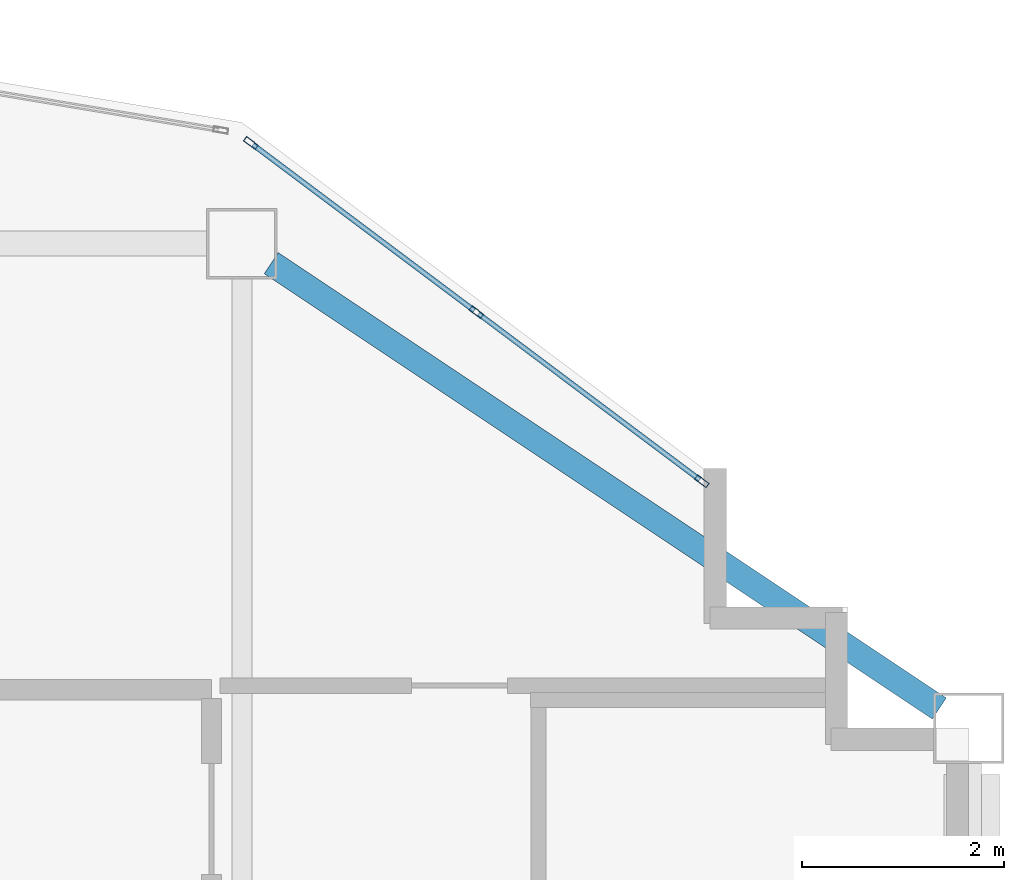
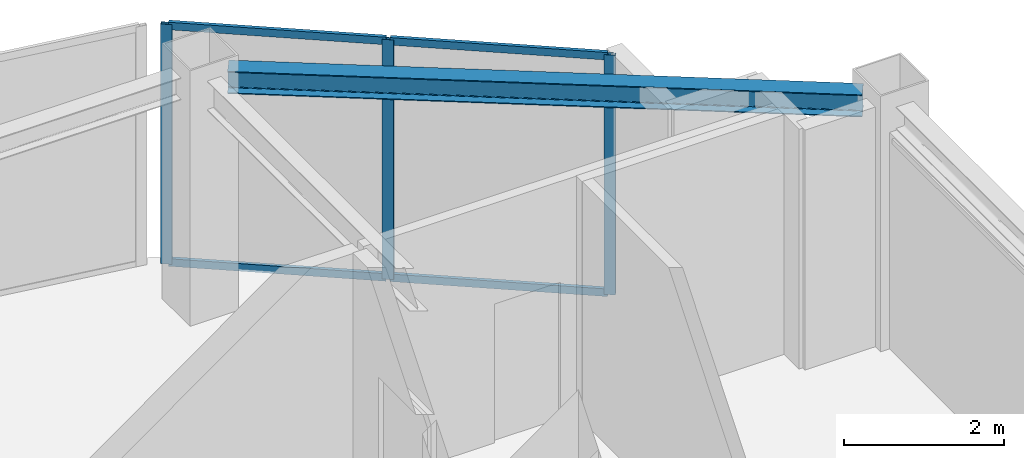
# One storey, part 2 of 8: 7 members, 1 beam, 1 element without a shape of its own.
"""IFC4 building model written with IfcOpenShell, lengths in metres."""

from ifc_helpers import new_model, si_unit, direction, frame, origin, origin_2d, place, context, subcontext, project, spatial, hollow_rectangle, i_section, extrude, material, layer, layer_set, material_profile, profile_set, type_object, element, aggregate, save


model = new_model("IFC4")

# Units and contexts
model_context = context("Model", 3, precision=1e-05, world=origin(), true_north=direction((0.0, 1.0)))
body_context = subcontext(model_context, "Body", "Model", "MODEL_VIEW")
ifc_project = project(units=[si_unit("LENGTHUNIT", "METRE"), si_unit("AREAUNIT", "SQUARE_METRE"), si_unit("VOLUMEUNIT", "CUBIC_METRE"), si_unit("PLANEANGLEUNIT", "RADIAN"), si_unit("MASSUNIT", "GRAM", prefix="KILO")], contexts=[model_context])

# Site, building, storey
site_placement = place(None, origin())
site = spatial("IfcSite", under=ifc_project, at=site_placement, CompositionType="ELEMENT")
building_placement = place(site_placement, origin())
building = spatial("IfcBuilding", under=site, at=building_placement, Name="Haolan Belvedere Tower", CompositionType="ELEMENT")
storey_placement = place(building_placement, frame((0.0, 0.0, 309.5)))
storey = spatial("IfcBuildingStorey", under=building, at=storey_placement, Name="L78", CompositionType="ELEMENT", Elevation=309.5)

# Beam
ifc_material_1 = material(Name="Steel Q355B", Category="steel")
ifc_material_profile_1 = material_profile(ifc_material_1, i_section(OverallWidth=0.25, OverallDepth=0.340087890625, WebThickness=0.009033203125, FlangeThickness=0.013916015625, FilletRadius=0.02001953125, at=origin_2d()), Name="Steel Q355B")
ifc_profile_set_1 = profile_set([ifc_material_profile_1], Name="Steel Q355B")
beam_type = type_object("IfcBeamType", Name="BM-HM340x250x9x14", PredefinedType="SPANDREL", material=ifc_profile_set_1)
beam_placement = place(storey_placement, frame((45.89111328125, 50.205810546875, 3.489990234375), z_axis=(0.832059739299, -0.554686028522, 0.0), x_axis=(0.554686028522, 0.832059739299, 0.0)))
element("IfcBeam", 1, at=beam_placement, inside=storey, type_object=beam_type, Name="L78 spandrel girder MC-T3-N2-MC-T3-NE", PredefinedType="SPANDREL", context=body_context, shape_type="SweptSolid", body=[
    extrude(i_section(OverallWidth=0.25, OverallDepth=0.340087890625, WebThickness=0.009033203125, FlangeThickness=0.013916015625, FilletRadius=0.02001953125, at=origin_2d()), origin(), (0.0, 0.0, 1.0), 7.953369140625),
])

# Curtain wall, members
ifc_material_2 = material(Name="Anodised champagne-silver aluminium 6063-T6 and Low-E glass", Category="aluminium")
ifc_layer = layer(ifc_material_2, 0.14501953125, Name="Anodised champagne-silver aluminium 6063-T6 and Low-E glass")
ifc_layer_set = layer_set([ifc_layer], Name="Anodised champagne-silver aluminium 6063-T6 and Low-E glass")
curtain_wall_type = type_object("IfcCurtainWallType", Name="CW-SYS-05", PredefinedType="NOTDEFINED", material=ifc_layer_set)
curtain_wall_placement = place(storey_placement, origin())
curtain_wall = element("IfcCurtainWall", 2, at=curtain_wall_placement, inside=storey, type_object=curtain_wall_type, Name="L78 CW-SYS-05 ribbon curtain wall 8.1", PredefinedType="NOTDEFINED")
ifc_material_3 = material(Name="Anodised aluminium 6063-T6", Category="aluminium")
ifc_material_profile_2 = material_profile(ifc_material_3, hollow_rectangle(XDim=0.053955078125, YDim=0.14501953125, WallThickness=0.00390625, at=origin_2d()), Name="Anodised aluminium 6063-T6")
ifc_profile_set_2 = profile_set([ifc_material_profile_2], Name="Anodised aluminium 6063-T6")
member_type_1 = type_object("IfcMemberType", Name="CW-SYS-05-MUL", PredefinedType="MULLION", material=ifc_profile_set_2)
member_1_placement = place(storey_placement, frame((50.156494140625, 48.045166015625, 0.0), z_axis=(0.0, 0.0, 1.0), x_axis=(-0.600002837806, -0.799997871638, 0.0)))
member_1 = element("IfcMember", 3, at=member_1_placement, type_object=member_type_1, Name="CW-05 mullion 1", PredefinedType="MULLION", context=body_context, shape_type="SweptSolid", body=[
    extrude(hollow_rectangle(XDim=0.053955078125, YDim=0.14501953125, WallThickness=0.00390625, at=origin_2d()), origin(), (0.0, 0.0, 1.0), 3.659912109375),
])
member_2_placement = place(storey_placement, frame((47.9228515625, 49.720458984375, 0.0), z_axis=(0.0, 0.0, 1.0), x_axis=(-0.600002837806, -0.799997871638, 0.0)))
member_2 = element("IfcMember", 4, at=member_2_placement, type_object=member_type_1, Name="CW-05 mullion 2", PredefinedType="MULLION", context=body_context, shape_type="SweptSolid", body=[
    extrude(hollow_rectangle(XDim=0.053955078125, YDim=0.14501953125, WallThickness=0.00390625, at=origin_2d()), origin(), (0.0, 0.0, 1.0), 3.659912109375),
])
member_3_placement = place(storey_placement, frame((45.689208984375, 51.395751953125, 0.0), z_axis=(0.0, 0.0, 1.0), x_axis=(-0.600002837806, -0.799997871638, 0.0)))
member_3 = element("IfcMember", 5, at=member_3_placement, type_object=member_type_1, Name="CW-05 mullion 3", PredefinedType="MULLION", context=body_context, shape_type="SweptSolid", body=[
    extrude(hollow_rectangle(XDim=0.053955078125, YDim=0.14501953125, WallThickness=0.00390625, at=origin_2d()), origin(), (0.0, 0.0, 1.0), 3.659912109375),
])
ifc_material_profile_3 = material_profile(ifc_material_3, hollow_rectangle(XDim=0.050048828125, YDim=0.114990234375, WallThickness=0.00390625, at=origin_2d()), Name="Anodised aluminium 6063-T6")
ifc_profile_set_3 = profile_set([ifc_material_profile_3], Name="Anodised aluminium 6063-T6")
member_type_2 = type_object("IfcMemberType", Name="CW-SYS-05-TRN", PredefinedType="USERDEFINED", material=ifc_profile_set_3)
member_4_placement = place(storey_placement, frame((50.134765625, 48.061279296875, 0.02490234375), z_axis=(-0.799957200433, 0.60005706185, 0.0), x_axis=(-0.60005706185, -0.799957200433, 0.0)))
member_4 = element("IfcMember", 6, at=member_4_placement, type_object=member_type_2, Name="CW-05 transom 1.1", ObjectType="TRANSOM", PredefinedType="USERDEFINED", context=body_context, shape_type="SweptSolid", body=[
    extrude(hollow_rectangle(XDim=0.050048828125, YDim=0.114990234375, WallThickness=0.00390625, at=origin_2d()), origin(), (0.0, 0.0, 1.0), 2.73828125),
])
member_5_placement = place(storey_placement, frame((50.134765625, 48.061279296875, 3.635009765625), z_axis=(-0.799957200433, 0.60005706185, 0.0), x_axis=(-0.60005706185, -0.799957200433, 0.0)))
member_5 = element("IfcMember", 7, at=member_5_placement, type_object=member_type_2, Name="CW-05 transom 1.2", ObjectType="TRANSOM", PredefinedType="USERDEFINED", context=body_context, shape_type="SweptSolid", body=[
    extrude(hollow_rectangle(XDim=0.050048828125, YDim=0.114990234375, WallThickness=0.00390625, at=origin_2d()), origin(), (0.0, 0.0, 1.0), 2.73828125),
])
member_6_placement = place(storey_placement, frame((47.901123046875, 49.736572265625, 0.02490234375), z_axis=(-0.8, 0.6, 0.0), x_axis=(-0.6, -0.8, 0.0)))
member_6 = element("IfcMember", 8, at=member_6_placement, type_object=member_type_2, Name="CW-05 transom 2.1", ObjectType="TRANSOM", PredefinedType="USERDEFINED", context=body_context, shape_type="SweptSolid", body=[
    extrude(hollow_rectangle(XDim=0.050048828125, YDim=0.114990234375, WallThickness=0.00390625, at=origin_2d()), origin(), (0.0, 0.0, 1.0), 2.738037109375),
])
member_7_placement = place(storey_placement, frame((47.901123046875, 49.736572265625, 3.635009765625), z_axis=(-0.8, 0.6, 0.0), x_axis=(-0.6, -0.8, 0.0)))
member_7 = element("IfcMember", 9, at=member_7_placement, type_object=member_type_2, Name="CW-05 transom 2.2", ObjectType="TRANSOM", PredefinedType="USERDEFINED", context=body_context, shape_type="SweptSolid", body=[
    extrude(hollow_rectangle(XDim=0.050048828125, YDim=0.114990234375, WallThickness=0.00390625, at=origin_2d()), origin(), (0.0, 0.0, 1.0), 2.738037109375),
])
aggregate(curtain_wall, [member_1, member_2, member_3, member_4, member_5, member_6, member_7])

save(model, "model.ifc")
